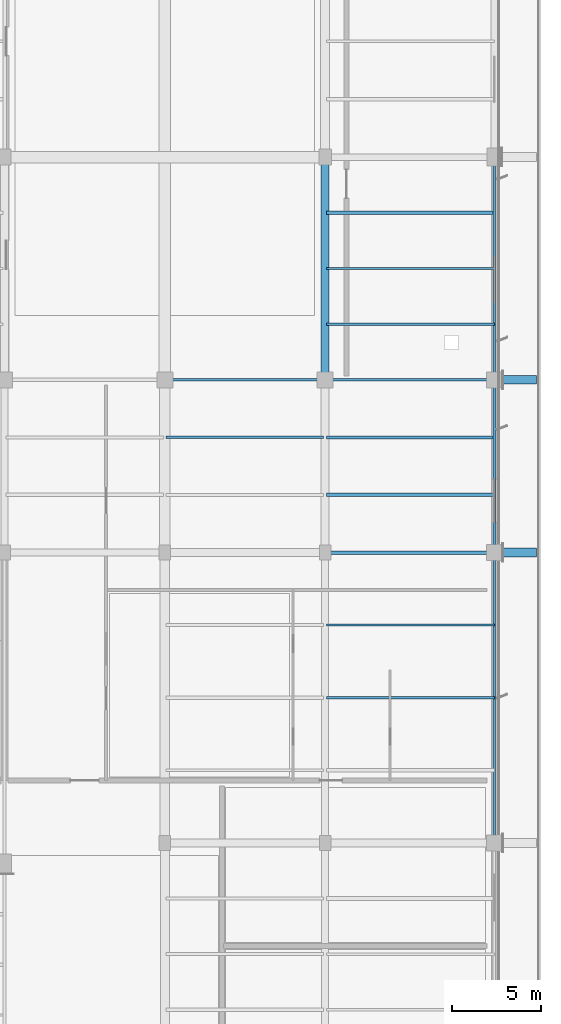
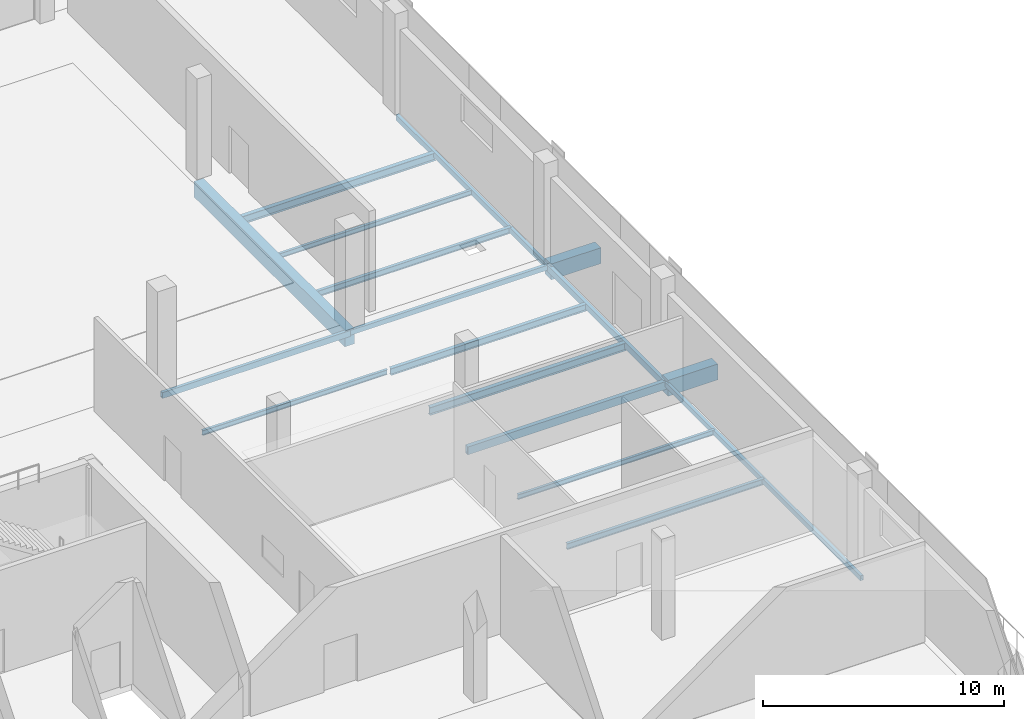
# One storey, part 42 of 90: 17 beams.
"""IFC4 building model written with IfcOpenShell, lengths in metres."""

from ifc_helpers import new_model, si_unit, direction, frame, origin, origin_2d, place, context, subcontext, project, spatial, rectangle, hollow_rectangle, i_section, extrude, material, material_profile, profile_set, type_object, element, save


model = new_model("IFC4")

# Units and contexts
model_context = context("Model", 3, precision=1e-05, world=origin(), true_north=direction((0.0, 1.0)))
body_context = subcontext(model_context, "Body", "Model", "MODEL_VIEW")
ifc_project = project(units=[si_unit("LENGTHUNIT", "METRE"), si_unit("AREAUNIT", "SQUARE_METRE"), si_unit("VOLUMEUNIT", "CUBIC_METRE"), si_unit("PLANEANGLEUNIT", "RADIAN"), si_unit("MASSUNIT", "GRAM", prefix="KILO")], contexts=[model_context])

# Site, building, storey
site_placement = place(None, origin())
site = spatial("IfcSite", under=ifc_project, at=site_placement, CompositionType="ELEMENT")
building_placement = place(site_placement, origin())
building = spatial("IfcBuilding", under=site, at=building_placement, Name="Solvikara Media Centre", CompositionType="ELEMENT")
storey_placement = place(building_placement, origin())
storey = spatial("IfcBuildingStorey", under=building, at=storey_placement, Name="L00", CompositionType="ELEMENT", Elevation=0.0)

# Beams
ifc_material_1 = material(Name="Concrete fc' 35 MPa (C35/45)", Category="concrete")
ifc_material_profile_1 = material_profile(ifc_material_1, rectangle(XDim=0.449951171875, YDim=0.800048828125, at=origin_2d()), Name="RC 450x800")
ifc_profile_set_1 = profile_set([ifc_material_profile_1], Name="Concrete fc' 35 MPa (C35/45)")
beam_type_1 = type_object("IfcBeamType", Name="BM-06", PredefinedType="BEAM", material=ifc_profile_set_1)
beam_1_placement = place(storey_placement, frame((154.5, 46.5, -0.780029296875), z_axis=(0.0, 1.0, 0.0), x_axis=(-1.0, 0.0, 0.0)))
element("IfcBeam", 1, at=beam_1_placement, inside=storey, type_object=beam_type_1, Name="B-L00-Y0222", PredefinedType="BEAM", context=body_context, shape_type="SweptSolid", body=[
    extrude(rectangle(XDim=0.449951171875, YDim=0.800048828125, at=origin_2d()), origin(), (0.0, 0.0, 1.0), 12.5),
])
ifc_material_profile_2 = material_profile(ifc_material_1, rectangle(XDim=0.5, YDim=0.800048828125, at=origin_2d()), Name="RC 500x800")
ifc_profile_set_2 = profile_set([ifc_material_profile_2], Name="Concrete fc' 35 MPa (C35/45)")
beam_type_2 = type_object("IfcBeamType", Name="BM-07", PredefinedType="BEAM", material=ifc_profile_set_2)
for number, where, z_axis, x_axis, name in (
    (2, (164.0, 36.800048828125, -0.64990234375), (1.0, 0.0, 0.0), (0.0, 1.0, 0.0), "B-L00-PRM-015"),
    (3, (164.0, 46.5, -0.64990234375), (1.0, 0.0, 0.0), (0.0, 1.0, 0.0), "B-L00-PRM-016"),
):
    element("IfcBeam", number, at=place(storey_placement, frame(where, z_axis=z_axis, x_axis=x_axis)), inside=storey, type_object=beam_type_2, Name=name, PredefinedType="BEAM", context=body_context, shape_type="SweptSolid", body=[
        extrude(rectangle(XDim=0.5, YDim=0.800048828125, at=origin_2d()), origin(), (0.0, 0.0, 1.0), 2.3798828125),
    ])
ifc_material_2 = material(Name="Steel S355JR", Category="steel")
ifc_material_profile_3 = material_profile(ifc_material_2, i_section(OverallWidth=0.199951171875, OverallDepth=0.39990234375, WebThickness=0.008056640625, FlangeThickness=0.012939453125, at=origin_2d()), Name="WF 400x200x8x13")
ifc_profile_set_3 = profile_set([ifc_material_profile_3], Name="Steel S355JR")
beam_type_3 = type_object("IfcBeamType", Name="BM-21", PredefinedType="JOIST", material=ifc_profile_set_3)
beam_2_placement = place(storey_placement, frame((154.577880859375, 55.875, -0.58203125), z_axis=(1.0, 0.0, 0.0), x_axis=(0.0, 1.0, 0.0)))
element("IfcBeam", 4, at=beam_2_placement, inside=storey, type_object=beam_type_3, Name="J-L00-0425", PredefinedType="JOIST", context=body_context, shape_type="SweptSolid", body=[
    extrude(i_section(OverallWidth=0.199951171875, OverallDepth=0.39990234375, WebThickness=0.008056640625, FlangeThickness=0.012939453125, at=origin_2d()), origin(), (0.0, 0.0, 1.0), 9.422119140625),
])
ifc_material_profile_4 = material_profile(ifc_material_2, i_section(OverallWidth=0.14990234375, OverallDepth=0.300048828125, WebThickness=0.006591796875, FlangeThickness=0.009033203125, at=origin_2d()), Name="WF 300x150x6.5x9")
ifc_profile_set_4 = profile_set([ifc_material_profile_4], Name="Steel S355JR")
beam_type_4 = type_object("IfcBeamType", Name="BM-23", PredefinedType="JOIST", material=ifc_profile_set_4)
beam_3_placement = place(storey_placement, frame((154.577880859375, 28.64990234375, -0.531982421875), z_axis=(1.0, 0.0, 0.0), x_axis=(0.0, 1.0, 0.0)))
element("IfcBeam", 5, at=beam_3_placement, inside=storey, type_object=beam_type_4, Name="J-L00-0419", PredefinedType="JOIST", context=body_context, shape_type="SweptSolid", body=[
    extrude(i_section(OverallWidth=0.14990234375, OverallDepth=0.300048828125, WebThickness=0.006591796875, FlangeThickness=0.009033203125, at=origin_2d()), origin(), (0.0, 0.0, 1.0), 9.422119140625),
])
ifc_material_profile_5 = material_profile(ifc_material_2, i_section(OverallWidth=0.125, OverallDepth=0.25, WebThickness=0.006103515625, FlangeThickness=0.009033203125, at=origin_2d()), Name="WF 250x125x6x9")
ifc_profile_set_5 = profile_set([ifc_material_profile_5], Name="Steel S355JR")
beam_type_5 = type_object("IfcBeamType", Name="BM-24", PredefinedType="JOIST", material=ifc_profile_set_5)
beam_4_placement = place(storey_placement, frame((145.577880859375, 43.26708984375, -0.507080078125), z_axis=(1.0, 0.0, 0.0), x_axis=(0.0, 1.0, 0.0)))
element("IfcBeam", 6, at=beam_4_placement, inside=storey, type_object=beam_type_5, Name="J-L00-0412", PredefinedType="JOIST", context=body_context, shape_type="SweptSolid", body=[
    extrude(i_section(OverallWidth=0.125, OverallDepth=0.25, WebThickness=0.006103515625, FlangeThickness=0.009033203125, at=origin_2d()), origin(), (0.0, 0.0, 1.0), 8.84423828125),
])
beam_5_placement = place(storey_placement, frame((154.577880859375, 32.72509765625, -0.507080078125), z_axis=(1.0, 0.0, 0.0), x_axis=(0.0, 1.0, 0.0)))
element("IfcBeam", 7, at=beam_5_placement, inside=storey, type_object=beam_type_5, Name="J-L00-0420", PredefinedType="JOIST", context=body_context, shape_type="SweptSolid", body=[
    extrude(i_section(OverallWidth=0.125, OverallDepth=0.25, WebThickness=0.006103515625, FlangeThickness=0.009033203125, at=origin_2d()), origin(), (0.0, 0.0, 1.0), 9.422119140625),
])
ifc_material_profile_6 = material_profile(ifc_material_2, hollow_rectangle(XDim=0.199951171875, YDim=0.39990234375, WallThickness=0.011962890625, at=origin_2d()), Name="RHS 400x200x12")
ifc_profile_set_6 = profile_set([ifc_material_profile_6], Name="Steel S355JR")
beam_type_6 = type_object("IfcBeamType", Name="BM-33", PredefinedType="SPANDREL", material=ifc_profile_set_6)
beam_6_placement = place(storey_placement, frame((154.5, 36.800048828125, -0.58203125), z_axis=(1.0, 0.0, 0.0), x_axis=(0.0, 1.0, 0.0)))
element("IfcBeam", 8, at=beam_6_placement, inside=storey, type_object=beam_type_6, Name="B-L00-X0057", PredefinedType="SPANDREL", context=body_context, shape_type="SweptSolid", body=[
    extrude(hollow_rectangle(XDim=0.199951171875, YDim=0.39990234375, WallThickness=0.011962890625, at=origin_2d()), origin(), (0.0, 0.0, 1.0), 9.5),
])
ifc_material_profile_7 = material_profile(ifc_material_2, hollow_rectangle(XDim=0.14990234375, YDim=0.300048828125, WallThickness=0.010009765625, at=origin_2d()), Name="RHS 300x150x10")
ifc_profile_set_7 = profile_set([ifc_material_profile_7], Name="Steel S355JR")
beam_type_7 = type_object("IfcBeamType", Name="BM-35", PredefinedType="BEAM", material=ifc_profile_set_7)
beam_7_placement = place(storey_placement, frame((145.5, 46.5, -0.531982421875), z_axis=(1.0, 0.0, 0.0), x_axis=(0.0, 1.0, 0.0)))
element("IfcBeam", 9, at=beam_7_placement, inside=storey, type_object=beam_type_7, Name="B-L00-X0065", PredefinedType="BEAM", context=body_context, shape_type="SweptSolid", body=[
    extrude(hollow_rectangle(XDim=0.14990234375, YDim=0.300048828125, WallThickness=0.010009765625, at=origin_2d()), origin(), (0.0, 0.0, 1.0), 9.0),
])
ifc_material_profile_8 = material_profile(ifc_material_2, hollow_rectangle(XDim=0.14990234375, YDim=0.25, WallThickness=0.008056640625, at=origin_2d()), Name="RHS 250x150x8")
ifc_profile_set_8 = profile_set([ifc_material_profile_8], Name="Steel S355JR")
beam_type_8 = type_object("IfcBeamType", Name="BM-36", PredefinedType="JOIST", material=ifc_profile_set_8)
beam_8_placement = place(storey_placement, frame((154.5, 46.5, -0.507080078125), z_axis=(1.0, 0.0, 0.0), x_axis=(0.0, 1.0, 0.0)))
element("IfcBeam", 10, at=beam_8_placement, inside=storey, type_object=beam_type_8, Name="B-L00-X0066", PredefinedType="JOIST", context=body_context, shape_type="SweptSolid", body=[
    extrude(hollow_rectangle(XDim=0.14990234375, YDim=0.25, WallThickness=0.008056640625, at=origin_2d()), origin(), (0.0, 0.0, 1.0), 9.5),
])
beam_9_placement = place(storey_placement, frame((164.0, 20.5, -0.507080078125), z_axis=(0.0, 1.0, 0.0), x_axis=(-1.0, 0.0, 0.0)))
element("IfcBeam", 11, at=beam_9_placement, inside=storey, type_object=beam_type_8, Name="B-L00-Y0230", PredefinedType="JOIST", context=body_context, shape_type="SweptSolid", body=[
    extrude(hollow_rectangle(XDim=0.14990234375, YDim=0.25, WallThickness=0.008056640625, at=origin_2d()), origin(), (0.0, 0.0, 1.0), 16.300048828125),
])
ifc_material_profile_9 = material_profile(ifc_material_2, i_section(OverallWidth=0.198974609375, OverallDepth=0.39599609375, WebThickness=0.007080078125, FlangeThickness=0.010986328125, at=origin_2d()), Name="WF 396x199x7x11")
ifc_profile_set_9 = profile_set([ifc_material_profile_9], Name="Steel S355JR")
beam_type_9 = type_object("IfcBeamType", Name="BM-37", PredefinedType="JOIST", material=ifc_profile_set_9)
beam_10_placement = place(storey_placement, frame((154.577880859375, 40.032958984375, -0.580078125), z_axis=(1.0, 0.0, 0.0), x_axis=(0.0, 1.0, 0.0)))
element("IfcBeam", 12, at=beam_10_placement, inside=storey, type_object=beam_type_9, Name="J-L00-0421", PredefinedType="JOIST", context=body_context, shape_type="SweptSolid", body=[
    extrude(i_section(OverallWidth=0.198974609375, OverallDepth=0.39599609375, WebThickness=0.007080078125, FlangeThickness=0.010986328125, at=origin_2d()), origin(), (0.0, 0.0, 1.0), 9.422119140625),
])
ifc_material_profile_10 = material_profile(ifc_material_2, i_section(OverallWidth=0.174072265625, OverallDepth=0.345947265625, WebThickness=0.006103515625, FlangeThickness=0.009033203125, at=origin_2d()), Name="WF 346x174x6x9")
ifc_profile_set_10 = profile_set([ifc_material_profile_10], Name="Steel S355JR")
beam_type_10 = type_object("IfcBeamType", Name="BM-38", PredefinedType="JOIST", material=ifc_profile_set_10)
beam_11_placement = place(storey_placement, frame((154.577880859375, 43.26708984375, -0.554931640625), z_axis=(1.0, 0.0, 0.0), x_axis=(0.0, 1.0, 0.0)))
element("IfcBeam", 13, at=beam_11_placement, inside=storey, type_object=beam_type_10, Name="J-L00-0422", PredefinedType="JOIST", context=body_context, shape_type="SweptSolid", body=[
    extrude(i_section(OverallWidth=0.174072265625, OverallDepth=0.345947265625, WebThickness=0.006103515625, FlangeThickness=0.009033203125, at=origin_2d()), origin(), (0.0, 0.0, 1.0), 9.422119140625),
])
ifc_material_profile_11 = material_profile(ifc_material_2, i_section(OverallWidth=0.14892578125, OverallDepth=0.298095703125, WebThickness=0.005615234375, FlangeThickness=0.008056640625, at=origin_2d()), Name="WF 298x149x5.5x8")
ifc_profile_set_11 = profile_set([ifc_material_profile_11], Name="Steel S355JR")
beam_type_11 = type_object("IfcBeamType", Name="BM-39", PredefinedType="JOIST", material=ifc_profile_set_11)
beam_12_placement = place(storey_placement, frame((154.577880859375, 49.625, -0.531005859375), z_axis=(1.0, 0.0, 0.0), x_axis=(0.0, 1.0, 0.0)))
element("IfcBeam", 14, at=beam_12_placement, inside=storey, type_object=beam_type_11, Name="J-L00-0423", PredefinedType="JOIST", context=body_context, shape_type="SweptSolid", body=[
    extrude(i_section(OverallWidth=0.14892578125, OverallDepth=0.298095703125, WebThickness=0.005615234375, FlangeThickness=0.008056640625, at=origin_2d()), origin(), (0.0, 0.0, 1.0), 9.422119140625),
])
ifc_material_profile_12 = material_profile(ifc_material_2, i_section(OverallWidth=0.1240234375, OverallDepth=0.248046875, WebThickness=0.0048828125, FlangeThickness=0.008056640625, at=origin_2d()), Name="WF 248x124x5x8")
ifc_profile_set_12 = profile_set([ifc_material_profile_12], Name="Steel S355JR")
beam_type_12 = type_object("IfcBeamType", Name="BM-40", PredefinedType="JOIST", material=ifc_profile_set_12)
beam_13_placement = place(storey_placement, frame((154.577880859375, 52.75, -0.506103515625), z_axis=(1.0, 0.0, 0.0), x_axis=(0.0, 1.0, 0.0)))
element("IfcBeam", 15, at=beam_13_placement, inside=storey, type_object=beam_type_12, Name="J-L00-0424", PredefinedType="JOIST", context=body_context, shape_type="SweptSolid", body=[
    extrude(i_section(OverallWidth=0.1240234375, OverallDepth=0.248046875, WebThickness=0.0048828125, FlangeThickness=0.008056640625, at=origin_2d()), origin(), (0.0, 0.0, 1.0), 9.422119140625),
])
ifc_material_profile_13 = material_profile(ifc_material_2, hollow_rectangle(XDim=0.159912109375, YDim=0.320068359375, WallThickness=0.010009765625, at=origin_2d()), Name="RHS 320x160x10")
ifc_profile_set_13 = profile_set([ifc_material_profile_13], Name="Steel S355JR")
beam_type_13 = type_object("IfcBeamType", Name="BM-45", PredefinedType="SPANDREL", material=ifc_profile_set_13)
beam_14_placement = place(storey_placement, frame((164.0, 36.800048828125, -0.5419921875), z_axis=(0.0, 1.0, 0.0), x_axis=(-1.0, 0.0, 0.0)))
element("IfcBeam", 16, at=beam_14_placement, inside=storey, type_object=beam_type_13, Name="B-L00-Y0231", PredefinedType="SPANDREL", context=body_context, shape_type="SweptSolid", body=[
    extrude(hollow_rectangle(XDim=0.159912109375, YDim=0.320068359375, WallThickness=0.010009765625, at=origin_2d()), origin(), (0.0, 0.0, 1.0), 9.699951171875),
])
ifc_material_profile_14 = material_profile(ifc_material_2, hollow_rectangle(XDim=0.139892578125, YDim=0.280029296875, WallThickness=0.008056640625, at=origin_2d()), Name="RHS 280x140x8")
ifc_profile_set_14 = profile_set([ifc_material_profile_14], Name="Steel S355JR")
beam_type_14 = type_object("IfcBeamType", Name="BM-46", PredefinedType="SPANDREL", material=ifc_profile_set_14)
beam_15_placement = place(storey_placement, frame((164.0, 46.5, -0.52197265625), z_axis=(0.0, 1.0, 0.0), x_axis=(-1.0, 0.0, 0.0)))
element("IfcBeam", 17, at=beam_15_placement, inside=storey, type_object=beam_type_14, Name="B-L00-Y0232", PredefinedType="SPANDREL", context=body_context, shape_type="SweptSolid", body=[
    extrude(hollow_rectangle(XDim=0.139892578125, YDim=0.280029296875, WallThickness=0.008056640625, at=origin_2d()), origin(), (0.0, 0.0, 1.0), 12.5),
])

save(model, "model.ifc")
